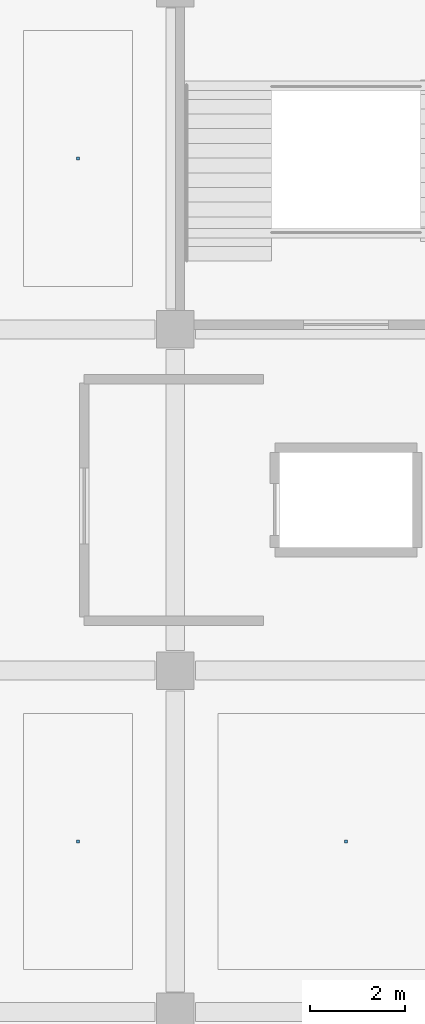
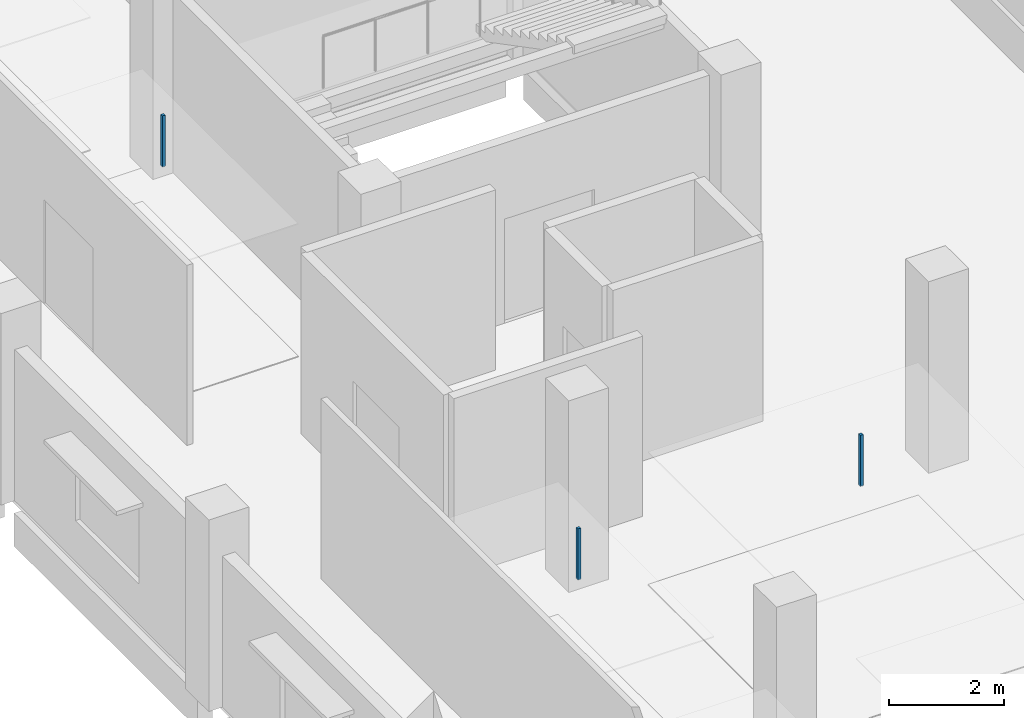
# One storey, part 99 of 107: 3 discrete accessories.
"""IFC4 building model written with IfcOpenShell, lengths in metres."""

from ifc_helpers import new_model, si_unit, direction, frame, origin, origin_2d, place, context, subcontext, project, spatial, rectangle, extrude, material, type_object, element, save


model = new_model("IFC4")

# Units and contexts
model_context = context("Model", 3, precision=1e-05, world=origin(), true_north=direction((0.0, 1.0)))
body_context = subcontext(model_context, "Body", "Model", "MODEL_VIEW")
ifc_project = project(units=[si_unit("LENGTHUNIT", "METRE"), si_unit("AREAUNIT", "SQUARE_METRE"), si_unit("VOLUMEUNIT", "CUBIC_METRE"), si_unit("PLANEANGLEUNIT", "RADIAN"), si_unit("MASSUNIT", "GRAM", prefix="KILO")], contexts=[model_context])

# Site, building, storey
site_placement = place(None, origin())
site = spatial("IfcSite", under=ifc_project, at=site_placement, CompositionType="ELEMENT")
building_placement = place(site_placement, origin())
building = spatial("IfcBuilding", under=site, at=building_placement, Name="Kangsadwip Square Police Headquarters", CompositionType="ELEMENT")
storey_placement = place(building_placement, frame((0.0, 0.0, 5.39990234375)))
storey = spatial("IfcBuildingStorey", under=building, at=storey_placement, Name="L01", CompositionType="ELEMENT", Elevation=5.39990234375)

# Discrete accessories
ifc_material = material(Name="Structural steel IS 2062 E350 (Grade 350, 350 MPa)", Category="steel")
discrete_accessory_type = type_object("IfcDiscreteAccessoryType", Name="VeilOutriggerBracket", PredefinedType="BRACKET", material=ifc_material)
for number, where, z_axis, x_axis, name in (
    (1, (149.14990234375, 46.800048828125, 2.81005859375), (0.0, 0.0, 1.0), (1.0, 0.0, 0.0), "Ceiling Suspension Hanger L01-054"),
    (2, (154.800048828125, 46.800048828125, 2.81005859375), (0.0, 0.0, 1.0), (1.0, 0.0, 0.0), "Ceiling Suspension Hanger L01-055"),
    (3, (149.14990234375, 61.199951171875, 2.81005859375), (0.0, 0.0, 1.0), (1.0, 0.0, 0.0), "Ceiling Suspension Hanger L01-056"),
):
    element("IfcDiscreteAccessory", number, at=place(storey_placement, frame(where, z_axis=z_axis, x_axis=x_axis)), inside=storey, type_object=discrete_accessory_type, Name=name, PredefinedType="BRACKET", context=body_context, shape_type="SweptSolid", body=[
        extrude(rectangle(XDim=0.06005859375, YDim=0.06005859375, at=origin_2d()), origin(), (0.0, 0.0, 1.0), 1.080078125),
    ])

save(model, "model.ifc")
